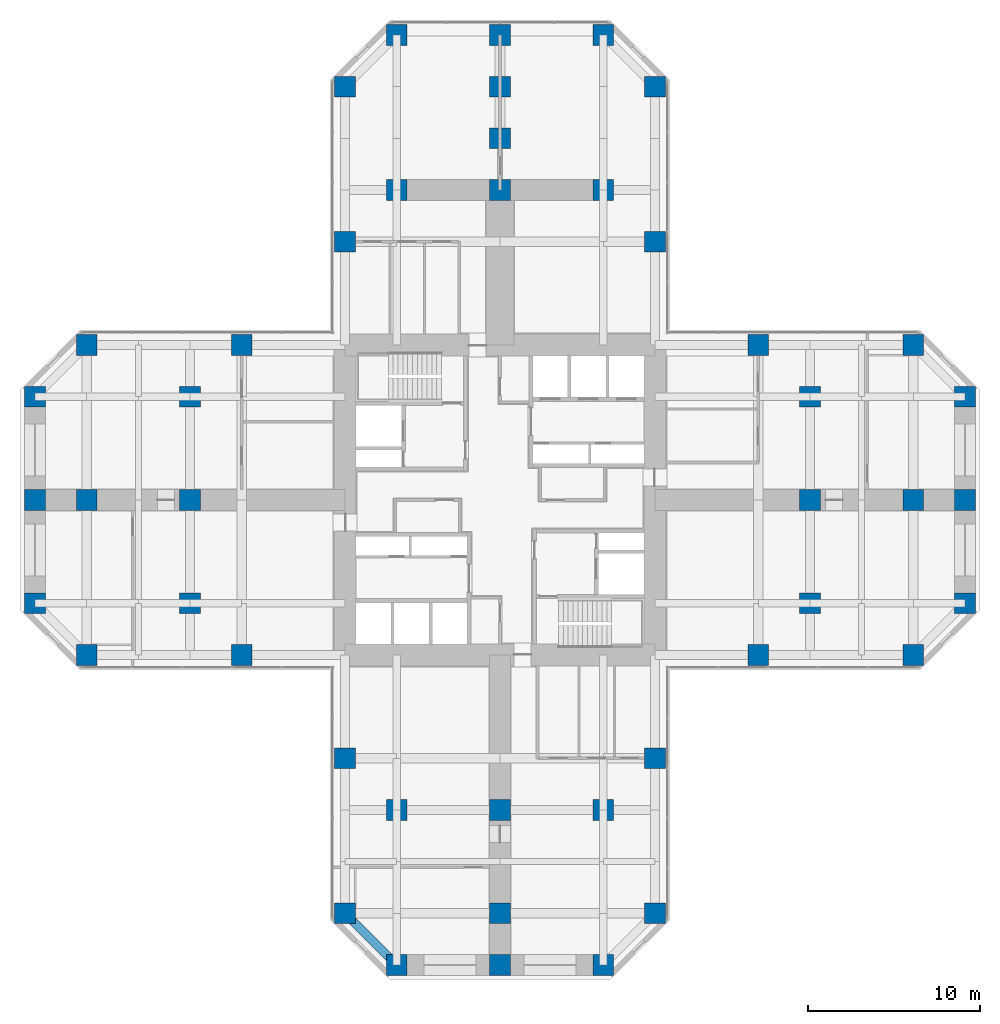
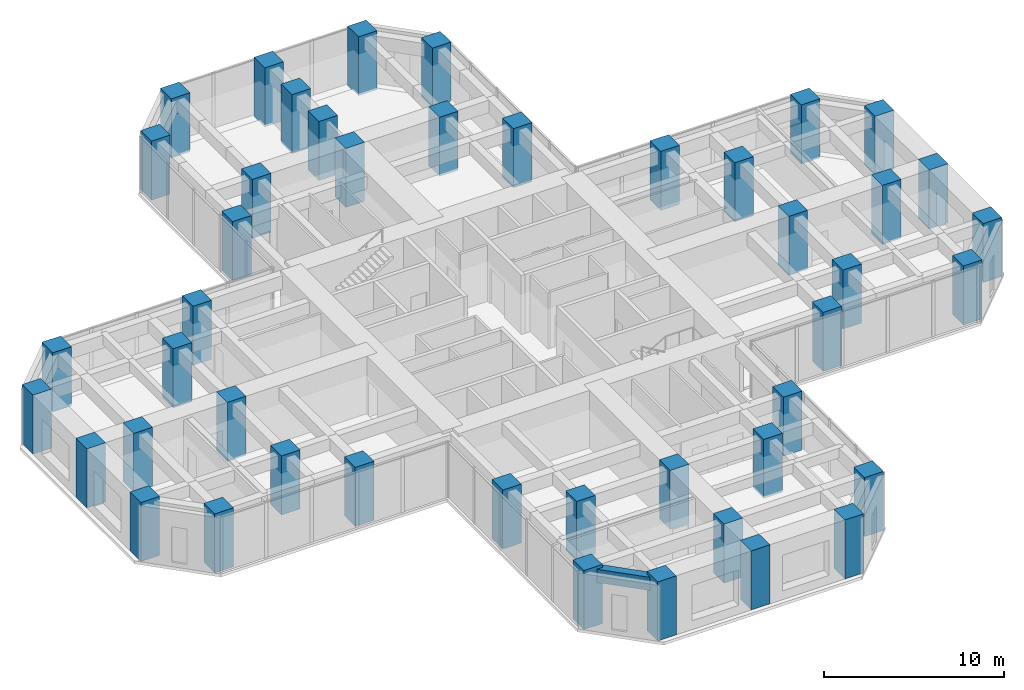
# One storey, part 1 of 12: 45 columns, 1 beam.
"""IFC4 building model written with IfcOpenShell, lengths in metres."""

from ifc_helpers import new_model, si_unit, direction, frame, origin, origin_2d, place, context, subcontext, project, spatial, rectangle, extrude, material, material_profile, profile_set, type_object, element, save


model = new_model("IFC4")

# Units and contexts
model_context = context("Model", 3, precision=1e-05, world=origin(), true_north=direction((0.0, 1.0)))
body_context = subcontext(model_context, "Body", "Model", "MODEL_VIEW")
ifc_project = project(units=[si_unit("LENGTHUNIT", "METRE"), si_unit("AREAUNIT", "SQUARE_METRE"), si_unit("VOLUMEUNIT", "CUBIC_METRE"), si_unit("PLANEANGLEUNIT", "RADIAN"), si_unit("MASSUNIT", "GRAM", prefix="KILO")], contexts=[model_context])

# Site, building, storey
site_placement = place(None, origin())
site = spatial("IfcSite", under=ifc_project, at=site_placement, CompositionType="ELEMENT")
building_placement = place(site_placement, origin())
building = spatial("IfcBuilding", under=site, at=building_placement, Name="Torre Cruceta", CompositionType="ELEMENT")
storey_placement = place(building_placement, frame((0.0, 0.0, 63.5)))
storey = spatial("IfcBuildingStorey", under=building, at=storey_placement, Name="L15", CompositionType="ELEMENT", Elevation=63.5)

# Columns
ifc_material_1 = material(Name="Concrete G60 (fck 60 MPa)", Category="concrete")
ifc_material_profile_1 = material_profile(ifc_material_1, rectangle(XDim=1.199951171875, YDim=1.199951171875, at=origin_2d()), Name="RC 1200X1200")
ifc_profile_set_1 = profile_set([ifc_material_profile_1], Name="Concrete G60 (fck 60 MPa)")
column_type = type_object("IfcColumnType", Name="COLUMN RC 1200X1200", PredefinedType="COLUMN", material=ifc_profile_set_1)
for number, where, z_axis, x_axis, name in (
    (1, (9.0, 15.0, 0.0), (0.0, 0.0, 1.0), (1.0, 0.0, 0.0), "C3 L15 N side"),
    (2, (9.0, 24.0, 0.0), (0.0, 0.0, 1.0), (1.0, 0.0, 0.0), "C3 L15 N chamfer"),
    (3, (-9.0, 15.0, 0.0), (0.0, 0.0, 1.0), (1.0, 0.0, 0.0), "C3 L15 N side"),
    (4, (-9.0, 24.0, 0.0), (0.0, 0.0, 1.0), (1.0, 0.0, 0.0), "C3 L15 N chamfer"),
    (5, (6.0, 27.0, 0.0), (0.0, 0.0, 1.0), (1.0, 0.0, 0.0), "C3 L15 N tip"),
    (6, (0.0, 27.0, 0.0), (0.0, 0.0, 1.0), (1.0, 0.0, 0.0), "C3 L15 N tip"),
    (7, (-6.0, 27.0, 0.0), (0.0, 0.0, 1.0), (1.0, 0.0, 0.0), "C3 L15 N tip"),
    (8, (15.0, -9.0, 0.0), (0.0, 0.0, 1.0), (1.0, 0.0, 0.0), "C3 L15 E side"),
    (9, (24.0, -9.0, 0.0), (0.0, 0.0, 1.0), (1.0, 0.0, 0.0), "C3 L15 E chamfer"),
    (10, (15.0, 9.0, 0.0), (0.0, 0.0, 1.0), (1.0, 0.0, 0.0), "C3 L15 E side"),
    (11, (24.0, 9.0, 0.0), (0.0, 0.0, 1.0), (1.0, 0.0, 0.0), "C3 L15 E chamfer"),
    (12, (27.0, -6.0, 0.0), (0.0, 0.0, 1.0), (1.0, 0.0, 0.0), "C3 L15 E tip"),
    (13, (27.0, 0.0, 0.0), (0.0, 0.0, 1.0), (1.0, 0.0, 0.0), "C3 L15 E tip"),
    (14, (27.0, 6.0, 0.0), (0.0, 0.0, 1.0), (1.0, 0.0, 0.0), "C3 L15 E tip"),
    (15, (-9.0, -15.0, 0.0), (0.0, 0.0, 1.0), (1.0, 0.0, 0.0), "C3 L15 S side"),
    (16, (-9.0, -24.0, 0.0), (0.0, 0.0, 1.0), (1.0, 0.0, 0.0), "C3 L15 S chamfer"),
    (17, (9.0, -15.0, 0.0), (0.0, 0.0, 1.0), (1.0, 0.0, 0.0), "C3 L15 S side"),
    (18, (9.0, -24.0, 0.0), (0.0, 0.0, 1.0), (1.0, 0.0, 0.0), "C3 L15 S chamfer"),
    (19, (-6.0, -27.0, 0.0), (0.0, 0.0, 1.0), (1.0, 0.0, 0.0), "C3 L15 S tip"),
    (20, (0.0, -27.0, 0.0), (0.0, 0.0, 1.0), (1.0, 0.0, 0.0), "C3 L15 S tip"),
    (21, (6.0, -27.0, 0.0), (0.0, 0.0, 1.0), (1.0, 0.0, 0.0), "C3 L15 S tip"),
    (22, (-15.0, 9.0, 0.0), (0.0, 0.0, 1.0), (1.0, 0.0, 0.0), "C3 L15 W side"),
    (23, (-24.0, 9.0, 0.0), (0.0, 0.0, 1.0), (1.0, 0.0, 0.0), "C3 L15 W chamfer"),
    (24, (-15.0, -9.0, 0.0), (0.0, 0.0, 1.0), (1.0, 0.0, 0.0), "C3 L15 W side"),
    (25, (-24.0, -9.0, 0.0), (0.0, 0.0, 1.0), (1.0, 0.0, 0.0), "C3 L15 W chamfer"),
    (26, (-27.0, 6.0, 0.0), (0.0, 0.0, 1.0), (1.0, 0.0, 0.0), "C3 L15 W tip"),
    (27, (-27.0, 0.0, 0.0), (0.0, 0.0, 1.0), (1.0, 0.0, 0.0), "C3 L15 W tip"),
    (28, (-27.0, -6.0, 0.0), (0.0, 0.0, 1.0), (1.0, 0.0, 0.0), "C3 L15 W tip"),
    (29, (6.0, 18.0, 0.0), (0.0, 0.0, 1.0), (1.0, 0.0, 0.0), "C3 L15 N interior"),
    (30, (0.0, 18.0, 0.0), (0.0, 0.0, 1.0), (1.0, 0.0, 0.0), "C3 L15 N interior"),
    (31, (-6.0, 18.0, 0.0), (0.0, 0.0, 1.0), (1.0, 0.0, 0.0), "C3 L15 N interior"),
    (32, (0.0, 21.0, 0.0), (0.0, 0.0, 1.0), (1.0, 0.0, 0.0), "C3 L15 N interior"),
    (33, (0.0, 24.0, 0.0), (0.0, 0.0, 1.0), (1.0, 0.0, 0.0), "C3 L15 N interior"),
    (34, (18.0, -6.0, 0.0), (0.0, 0.0, 1.0), (1.0, 0.0, 0.0), "C3 L15 E interior"),
    (35, (18.0, 0.0, 0.0), (0.0, 0.0, 1.0), (1.0, 0.0, 0.0), "C3 L15 E interior"),
    (36, (18.0, 6.0, 0.0), (0.0, 0.0, 1.0), (1.0, 0.0, 0.0), "C3 L15 E interior"),
    (37, (24.0, 0.0, 0.0), (0.0, 0.0, 1.0), (1.0, 0.0, 0.0), "C3 L15 E interior"),
    (38, (-6.0, -18.0, 0.0), (0.0, 0.0, 1.0), (1.0, 0.0, 0.0), "C3 L15 S interior"),
    (39, (0.0, -18.0, 0.0), (0.0, 0.0, 1.0), (1.0, 0.0, 0.0), "C3 L15 S interior"),
    (40, (6.0, -18.0, 0.0), (0.0, 0.0, 1.0), (1.0, 0.0, 0.0), "C3 L15 S interior"),
    (41, (0.0, -24.0, 0.0), (0.0, 0.0, 1.0), (1.0, 0.0, 0.0), "C3 L15 S interior"),
    (42, (-18.0, 6.0, 0.0), (0.0, 0.0, 1.0), (1.0, 0.0, 0.0), "C3 L15 W interior"),
    (43, (-18.0, 0.0, 0.0), (0.0, 0.0, 1.0), (1.0, 0.0, 0.0), "C3 L15 W interior"),
    (44, (-18.0, -6.0, 0.0), (0.0, 0.0, 1.0), (1.0, 0.0, 0.0), "C3 L15 W interior"),
    (45, (-24.0, 0.0, 0.0), (0.0, 0.0, 1.0), (1.0, 0.0, 0.0), "C3 L15 W interior"),
):
    element("IfcColumn", number, at=place(storey_placement, frame(where, z_axis=z_axis, x_axis=x_axis)), inside=storey, type_object=column_type, Name=name, PredefinedType="COLUMN", context=body_context, shape_type="SweptSolid", body=[
        extrude(rectangle(XDim=1.199951171875, YDim=1.199951171875, at=origin_2d()), origin(), (0.0, 0.0, 1.0), 4.0),
    ])

# Beam
ifc_material_2 = material(Name="Concrete G60 (fck 60 MPa)", Category="concrete")
ifc_material_profile_2 = material_profile(ifc_material_2, rectangle(XDim=0.5, YDim=0.89990234375, at=origin_2d()), Name="RC 500X900")
ifc_profile_set_2 = profile_set([ifc_material_profile_2], Name="Concrete G60 (fck 60 MPa)")
beam_type = type_object("IfcBeamType", Name="SPANDREL BEAM RC 500X900", PredefinedType="SPANDREL", material=ifc_profile_set_2)
beam_placement = place(storey_placement, frame((-9.0, -24.0, 3.35009765625), z_axis=(0.707106781187, -0.707106781187, 0.0), x_axis=(0.707106781187, 0.707106781187, 0.0)))
element("IfcBeam", 46, at=beam_placement, inside=storey, type_object=beam_type, Name="SB4 L15 S side- 5", PredefinedType="SPANDREL", context=body_context, shape_type="SweptSolid", body=[
    extrude(rectangle(XDim=0.5, YDim=0.89990234375, at=origin_2d()), origin(), (0.0, 0.0, 1.0), 4.24267578125),
])

save(model, "model.ifc")
